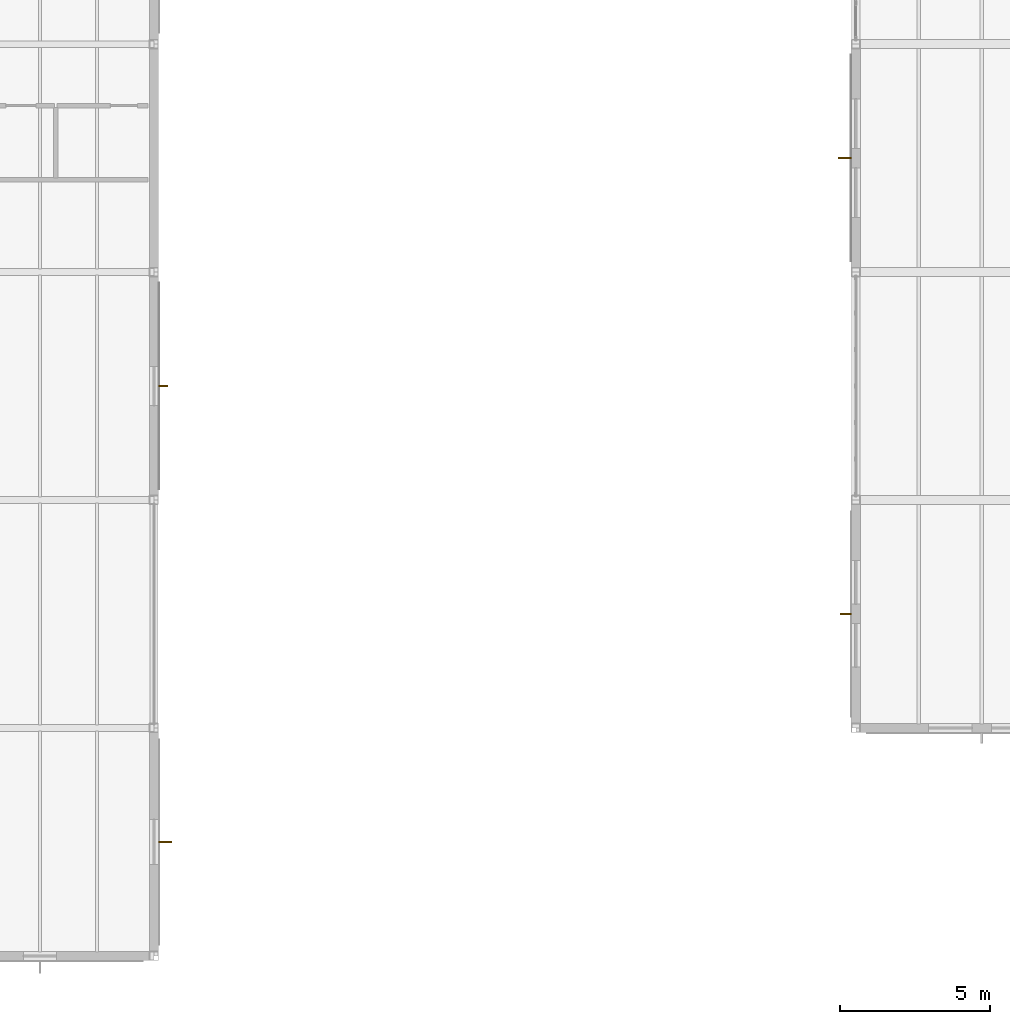
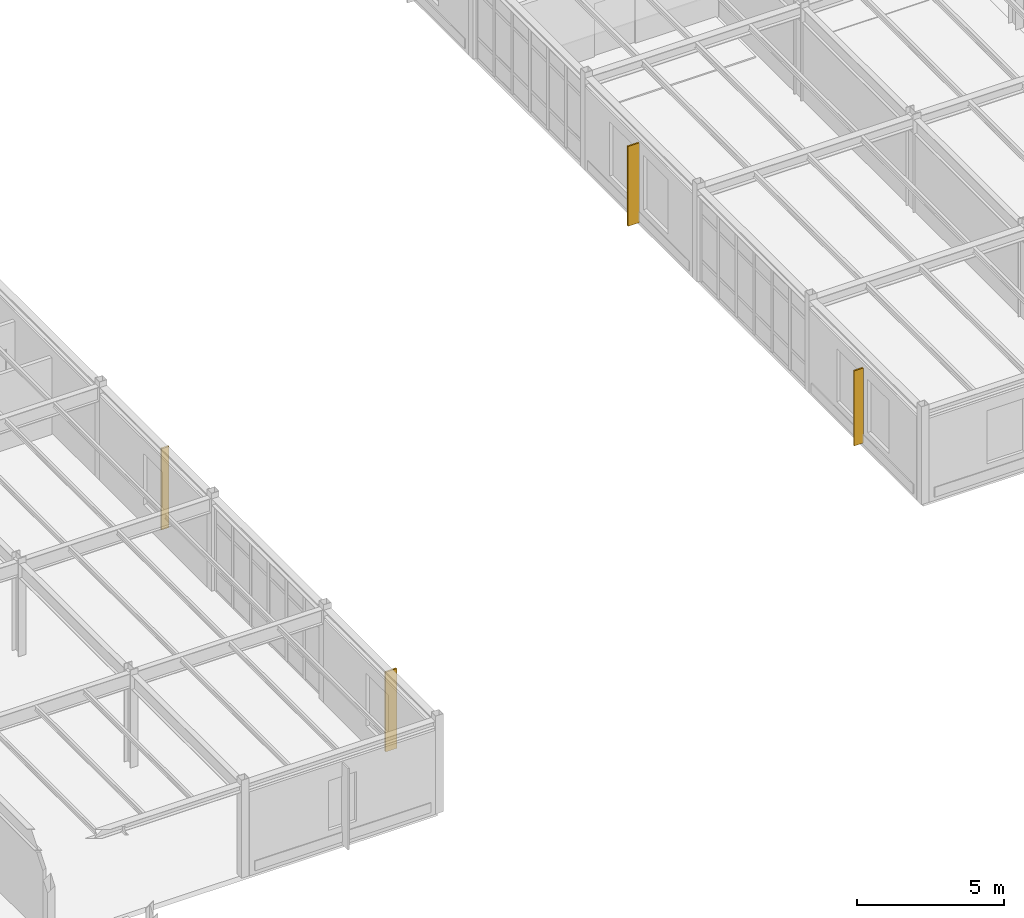
# One storey, part 157 of 165: 4 shading devices.
"""IFC4 building model written with IfcOpenShell, lengths in metres."""

from ifc_helpers import new_model, si_unit, direction, frame, origin, origin_2d, place, context, subcontext, project, spatial, rectangle, extrude, material, type_object, element, save


model = new_model("IFC4")

# Units and contexts
model_context = context("Model", 3, precision=1e-05, world=origin(), true_north=direction((0.0, 1.0)))
body_context = subcontext(model_context, "Body", "Model", "MODEL_VIEW")
ifc_project = project(units=[si_unit("LENGTHUNIT", "METRE"), si_unit("AREAUNIT", "SQUARE_METRE"), si_unit("VOLUMEUNIT", "CUBIC_METRE"), si_unit("PLANEANGLEUNIT", "RADIAN"), si_unit("MASSUNIT", "GRAM", prefix="KILO")], contexts=[model_context])

# Site, building, storey
site_placement = place(None, origin())
site = spatial("IfcSite", under=ifc_project, at=site_placement, CompositionType="ELEMENT")
building_placement = place(site_placement, origin())
building = spatial("IfcBuilding", under=site, at=building_placement, Name="Montecoro Central Library", CompositionType="ELEMENT")
storey_placement = place(building_placement, frame((0.0, 0.0, 5.10009765625)))
storey = spatial("IfcBuildingStorey", under=building, at=storey_placement, Name="L01", CompositionType="ELEMENT", Elevation=5.10009765625)

# Shading devices
ifc_material = material(Name="Architectural bronze solar fin", Category="aluminium")
shading_device_type_1 = type_object("IfcShadingDeviceType", Name="SHD-FIN-03", PredefinedType="USERDEFINED", material=ifc_material)
shading_device_1_placement = place(storey_placement, frame((66.06689453125, 84.800048828125, 0.18994140625), z_axis=(0.0, 0.0, 1.0), x_axis=(0.0, -1.0, 0.0)))
element("IfcShadingDevice", 1, at=shading_device_1_placement, inside=storey, type_object=shading_device_type_1, Name="V2-L01-FIN-W0", ObjectType="SOLAR FIN", PredefinedType="USERDEFINED", context=body_context, shape_type="SweptSolid", body=[
    extrude(rectangle(XDim=0.06005859375, YDim=0.360107421875, at=origin_2d()), origin(), (0.0, 0.0, 1.0), 3.10009765625),
])
shading_device_type_2 = type_object("IfcShadingDeviceType", Name="SHD-FIN-05", PredefinedType="USERDEFINED", material=ifc_material)
for number, where, z_axis, x_axis, name in (
    (2, (66.027099609375, 100.0, 0.08984375), (0.0, 0.0, 1.0), (0.0, -1.0, 0.0), "V2-L01-FIN-W2"),
    (3, (43.373046875, 77.199951171875, 0.08984375), (0.0, 0.0, 1.0), (0.0, 1.0, 0.0), "V4-L01-FIN-E0"),
):
    element("IfcShadingDevice", number, at=place(storey_placement, frame(where, z_axis=z_axis, x_axis=x_axis)), inside=storey, type_object=shading_device_type_2, Name=name, ObjectType="SOLAR FIN", PredefinedType="USERDEFINED", context=body_context, shape_type="SweptSolid", body=[
        extrude(rectangle(XDim=0.06005859375, YDim=0.43994140625, at=origin_2d()), origin(), (0.0, 0.0, 1.0), 3.300048828125),
    ])
shading_device_type_3 = type_object("IfcShadingDeviceType", Name="SHD-FIN-07", PredefinedType="USERDEFINED", material=ifc_material)
shading_device_2_placement = place(storey_placement, frame((43.302978515625, 92.39990234375, 0.06005859375), z_axis=(0.0, 0.0, 1.0), x_axis=(0.0, 1.0, 0.0)))
element("IfcShadingDevice", 4, at=shading_device_2_placement, inside=storey, type_object=shading_device_type_3, Name="V4-L01-FIN-E2", ObjectType="SOLAR FIN", PredefinedType="USERDEFINED", context=body_context, shape_type="SweptSolid", body=[
    extrude(rectangle(XDim=0.06005859375, YDim=0.300048828125, at=origin_2d()), origin(), (0.0, 0.0, 1.0), 3.360107421875),
])

save(model, "model.ifc")
